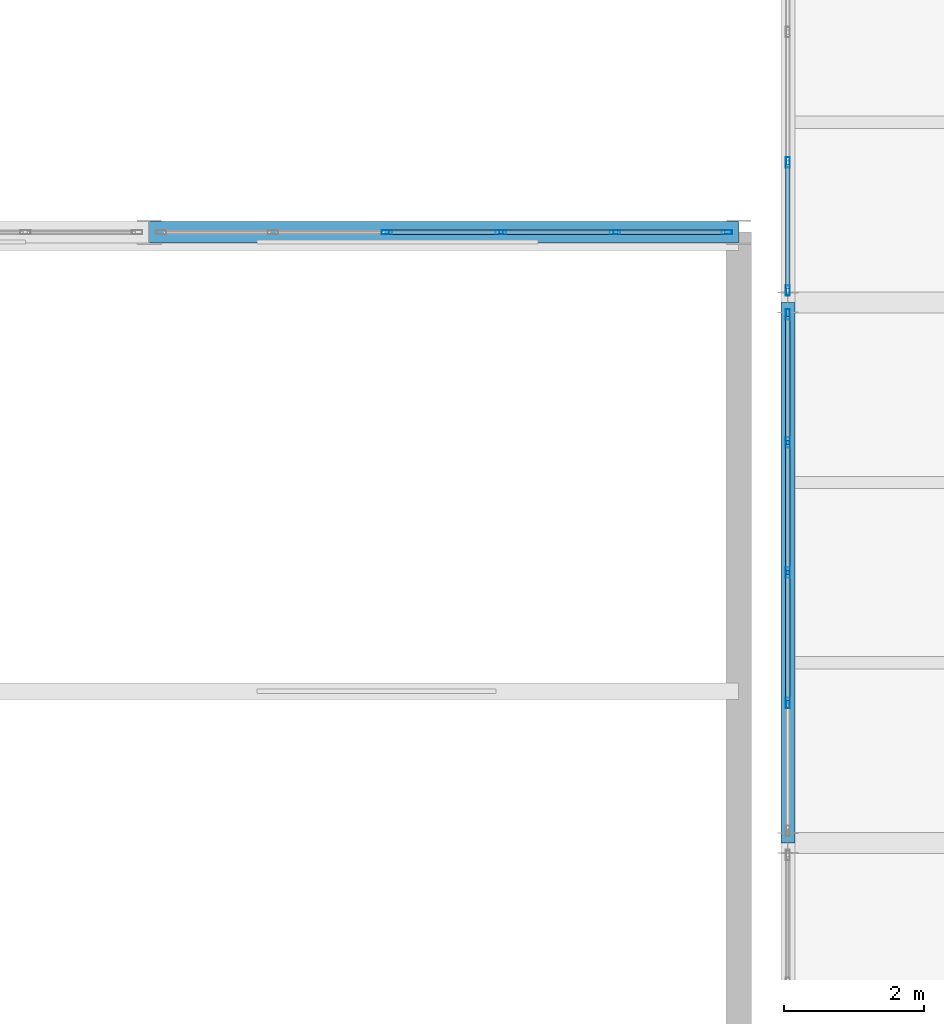
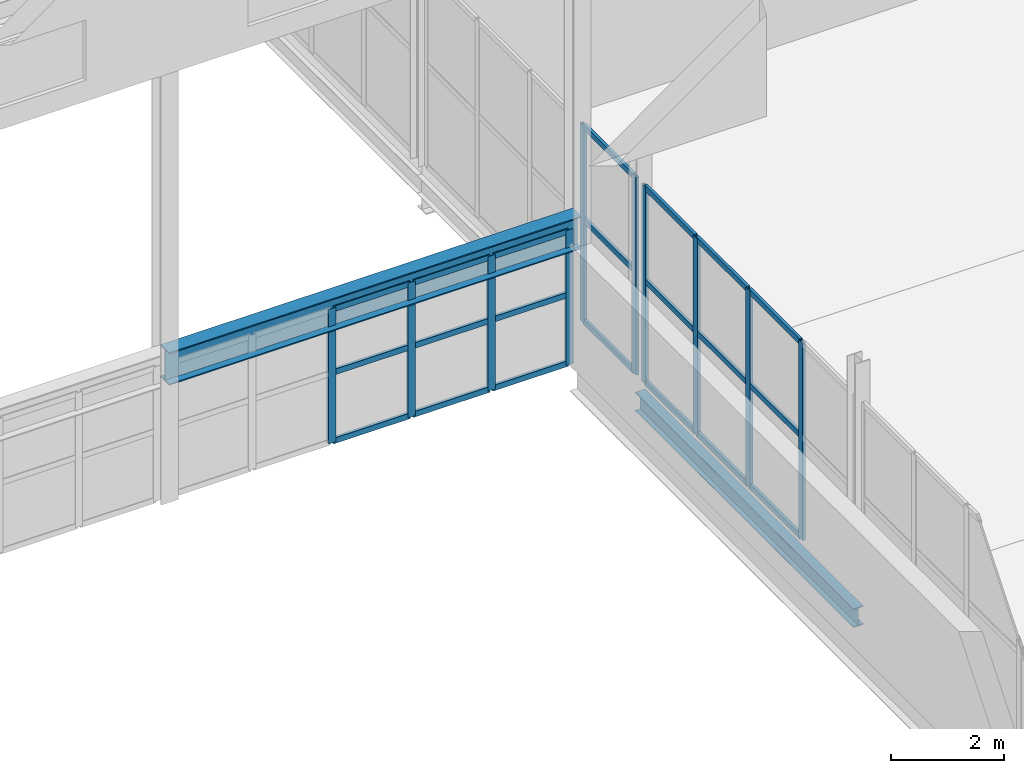
# One storey, part 129 of 218: 31 members, 2 beams, 3 elements without a shape of their own.
"""IFC4 building model written with IfcOpenShell, lengths in metres."""

from ifc_helpers import new_model, si_unit, direction, frame, origin, origin_2d, place, context, subcontext, project, spatial, hollow_rectangle, i_section, extrude, material, material_profile, profile_set, type_object, element, aggregate, save


model = new_model("IFC4")

# Units and contexts
model_context = context("Model", 3, precision=1e-05, world=origin(), true_north=direction((0.0, 1.0)))
body_context = subcontext(model_context, "Body", "Model", "MODEL_VIEW")
ifc_project = project(units=[si_unit("LENGTHUNIT", "METRE"), si_unit("AREAUNIT", "SQUARE_METRE"), si_unit("VOLUMEUNIT", "CUBIC_METRE"), si_unit("PLANEANGLEUNIT", "RADIAN"), si_unit("MASSUNIT", "GRAM", prefix="KILO")], contexts=[model_context])

# Site, building, storey
site_placement = place(None, origin())
site = spatial("IfcSite", under=ifc_project, at=site_placement, CompositionType="ELEMENT")
building_placement = place(site_placement, origin())
building = spatial("IfcBuilding", under=site, at=building_placement, Name="Kazenagashi Tramway Depot", CompositionType="ELEMENT")
storey_placement = place(building_placement, frame((0.0, 0.0, 6.0)))
storey = spatial("IfcBuildingStorey", under=building, at=storey_placement, Name="L02", CompositionType="ELEMENT", Elevation=6.0)

# Beam
ifc_material_1 = material(Name="Steel SN490B", Category="steel")
ifc_material_profile_1 = material_profile(ifc_material_1, i_section(OverallWidth=0.3, OverallDepth=0.7, WebThickness=0.013, FlangeThickness=0.024, at=origin_2d()), Name="H-700x300x13x24")
ifc_profile_set_1 = profile_set([ifc_material_profile_1], Name="Steel SN490B")
beam_type_1 = type_object("IfcBeamType", Name="G-02", PredefinedType="BEAM", material=ifc_profile_set_1)
beam_1_placement = place(storey_placement, frame((137.2, 54.9, 2.85), z_axis=(1.0, 0.0, 0.0), x_axis=(0.0, 1.0, 0.0)))
element("IfcBeam", 1, at=beam_1_placement, inside=storey, type_object=beam_type_1, Name="Beam G-02 BM-1184", PredefinedType="BEAM", context=body_context, shape_type="SweptSolid", body=[
    extrude(i_section(OverallWidth=0.3, OverallDepth=0.7, WebThickness=0.013, FlangeThickness=0.024, at=origin_2d()), origin(), (0.0, 0.0, 1.0), 8.4),
])

# Curtain wall, members
ifc_material_2 = material(Name="Anodised Aluminium and Low-E Glazing", Category="aluminium")
curtain_wall_type_1 = type_object("IfcCurtainWallType", Name="CW-21", PredefinedType="USERDEFINED", material=ifc_material_2)
curtain_wall_1_placement = place(storey_placement, origin())
curtain_wall_1 = element("IfcCurtainWall", 2, at=curtain_wall_1_placement, inside=storey, type_object=curtain_wall_type_1, Name="Industrial Glazed Screen CW-21 CW-0118", ObjectType="GLAZED SCREEN", PredefinedType="USERDEFINED")
ifc_material_3 = material(Name="Anodised Aluminium", Category="aluminium")
ifc_material_profile_2 = material_profile(ifc_material_3, hollow_rectangle(XDim=0.06, YDim=0.15, WallThickness=0.004, at=origin_2d()), Name="RHS-150x60x4")
ifc_profile_set_2 = profile_set([ifc_material_profile_2], Name="Anodised Aluminium")
member_type_1 = type_object("IfcMemberType", Name="ML-01", PredefinedType="MULLION", material=ifc_profile_set_2)
member_1_placement = place(storey_placement, frame((140.588, 54.9, 0.0), z_axis=(0.0, 0.0, 1.0), x_axis=(0.0, 1.0, 0.0)))
member_1 = element("IfcMember", 3, at=member_1_placement, type_object=member_type_1, Name="CW-21 mullion 3", PredefinedType="MULLION", context=body_context, shape_type="SweptSolid", body=[
    extrude(hollow_rectangle(XDim=0.06, YDim=0.15, WallThickness=0.004, at=origin_2d()), origin(), (0.0, 0.0, 1.0), 2.9),
])
member_2_placement = place(storey_placement, frame((142.212, 54.9, 0.0), z_axis=(0.0, 0.0, 1.0), x_axis=(0.0, 1.0, 0.0)))
member_2 = element("IfcMember", 4, at=member_2_placement, type_object=member_type_1, Name="CW-21 mullion 4", PredefinedType="MULLION", context=body_context, shape_type="SweptSolid", body=[
    extrude(hollow_rectangle(XDim=0.06, YDim=0.15, WallThickness=0.004, at=origin_2d()), origin(), (0.0, 0.0, 1.0), 2.9),
])
member_3_placement = place(storey_placement, frame((143.836, 54.9, 0.0), z_axis=(0.0, 0.0, 1.0), x_axis=(0.0, 1.0, 0.0)))
member_3 = element("IfcMember", 5, at=member_3_placement, type_object=member_type_1, Name="CW-21 mullion 5", PredefinedType="MULLION", context=body_context, shape_type="SweptSolid", body=[
    extrude(hollow_rectangle(XDim=0.06, YDim=0.15, WallThickness=0.004, at=origin_2d()), origin(), (0.0, 0.0, 1.0), 2.9),
])
member_4_placement = place(storey_placement, frame((145.43, 54.9, 0.0), z_axis=(0.0, 0.0, 1.0), x_axis=(0.0, 1.0, 0.0)))
member_4 = element("IfcMember", 6, at=member_4_placement, type_object=member_type_1, Name="CW-21 mullion 6", PredefinedType="MULLION", context=body_context, shape_type="SweptSolid", body=[
    extrude(hollow_rectangle(XDim=0.06, YDim=0.15, WallThickness=0.004, at=origin_2d()), origin(), (0.0, 0.0, 1.0), 2.9),
])

curtain_wall_type_2 = type_object("IfcCurtainWallType", Name="CW-31", PredefinedType="USERDEFINED", material=ifc_material_2)
curtain_wall_2_placement = place(storey_placement, origin())
curtain_wall_2 = element("IfcCurtainWall", 7, at=curtain_wall_2_placement, inside=storey, type_object=curtain_wall_type_2, Name="Industrial Glazed Screen CW-31 CW-0169", ObjectType="GLAZED SCREEN", PredefinedType="USERDEFINED")
member_5_placement = place(storey_placement, frame((146.3, 48.195, 0.0), z_axis=(0.0, 0.0, 1.0), x_axis=(-1.0, 0.0, 0.0)))
member_5 = element("IfcMember", 8, at=member_5_placement, type_object=member_type_1, Name="CW-31 mullion 2", PredefinedType="MULLION", context=body_context, shape_type="SweptSolid", body=[
    extrude(hollow_rectangle(XDim=0.06, YDim=0.15, WallThickness=0.004, at=origin_2d()), origin(), (0.0, 0.0, 1.0), 4.25),
])
member_6_placement = place(storey_placement, frame((146.3, 50.05, 0.0), z_axis=(0.0, 0.0, 1.0), x_axis=(-1.0, 0.0, 0.0)))
member_6 = element("IfcMember", 9, at=member_6_placement, type_object=member_type_1, Name="CW-31 mullion 3", PredefinedType="MULLION", context=body_context, shape_type="SweptSolid", body=[
    extrude(hollow_rectangle(XDim=0.06, YDim=0.15, WallThickness=0.004, at=origin_2d()), origin(), (0.0, 0.0, 1.0), 4.25),
])
member_7_placement = place(storey_placement, frame((146.3, 51.905, 0.0), z_axis=(0.0, 0.0, 1.0), x_axis=(-1.0, 0.0, 0.0)))
member_7 = element("IfcMember", 10, at=member_7_placement, type_object=member_type_1, Name="CW-31 mullion 4", PredefinedType="MULLION", context=body_context, shape_type="SweptSolid", body=[
    extrude(hollow_rectangle(XDim=0.06, YDim=0.15, WallThickness=0.004, at=origin_2d()), origin(), (0.0, 0.0, 1.0), 4.25),
])
member_8_placement = place(storey_placement, frame((146.3, 53.73, 0.0), z_axis=(0.0, 0.0, 1.0), x_axis=(-1.0, 0.0, 0.0)))
member_8 = element("IfcMember", 11, at=member_8_placement, type_object=member_type_1, Name="CW-31 mullion 5", PredefinedType="MULLION", context=body_context, shape_type="SweptSolid", body=[
    extrude(hollow_rectangle(XDim=0.06, YDim=0.15, WallThickness=0.004, at=origin_2d()), origin(), (0.0, 0.0, 1.0), 4.25),
])

curtain_wall_3_placement = place(storey_placement, origin())
curtain_wall_3 = element("IfcCurtainWall", 12, at=curtain_wall_3_placement, inside=storey, type_object=curtain_wall_type_2, Name="Industrial Glazed Screen CW-31 CW-0171", ObjectType="GLAZED SCREEN", PredefinedType="USERDEFINED")
member_9_placement = place(storey_placement, frame((146.3, 54.07, 0.0), z_axis=(0.0, 0.0, 1.0), x_axis=(-1.0, 0.0, 0.0)))
member_9 = element("IfcMember", 13, at=member_9_placement, type_object=member_type_1, Name="CW-31 mullion 1", PredefinedType="MULLION", context=body_context, shape_type="SweptSolid", body=[
    extrude(hollow_rectangle(XDim=0.06, YDim=0.15, WallThickness=0.004, at=origin_2d()), origin(), (0.0, 0.0, 1.0), 4.25),
])
member_10_placement = place(storey_placement, frame((146.3, 55.895, 0.0), z_axis=(0.0, 0.0, 1.0), x_axis=(-1.0, 0.0, 0.0)))
member_10 = element("IfcMember", 14, at=member_10_placement, type_object=member_type_1, Name="CW-31 mullion 2", PredefinedType="MULLION", context=body_context, shape_type="SweptSolid", body=[
    extrude(hollow_rectangle(XDim=0.06, YDim=0.15, WallThickness=0.004, at=origin_2d()), origin(), (0.0, 0.0, 1.0), 4.25),
])

# Beam
ifc_material_profile_3 = material_profile(ifc_material_1, i_section(OverallWidth=0.2, OverallDepth=0.4, WebThickness=0.008, FlangeThickness=0.013, at=origin_2d()), Name="H-400x200x8x13")
ifc_profile_set_3 = profile_set([ifc_material_profile_3], Name="Steel SN490B")
beam_type_2 = type_object("IfcBeamType", Name="SP-04", PredefinedType="SPANDREL", material=ifc_profile_set_3)
beam_2_placement = place(storey_placement, frame((146.3, 46.2, -0.48), z_axis=(0.0, 1.0, 0.0), x_axis=(-1.0, 0.0, 0.0)))
element("IfcBeam", 15, at=beam_2_placement, inside=storey, type_object=beam_type_2, Name="Beam SP-04 BM-1247", PredefinedType="SPANDREL", context=body_context, shape_type="SweptSolid", body=[
    extrude(i_section(OverallWidth=0.2, OverallDepth=0.4, WebThickness=0.008, FlangeThickness=0.013, at=origin_2d()), origin(), (0.0, 0.0, 1.0), 7.7),
])

# Member
ifc_material_profile_4 = material_profile(ifc_material_3, hollow_rectangle(XDim=0.06, YDim=0.12, WallThickness=0.004, at=origin_2d()), Name="RHS-120x60x4")
ifc_profile_set_4 = profile_set([ifc_material_profile_4], Name="Anodised Aluminium")
member_type_2 = type_object("IfcMemberType", Name="TR-01", PredefinedType="USERDEFINED", material=ifc_profile_set_4)
member_11_placement = place(storey_placement, frame((140.618, 54.9, 0.03), z_axis=(1.0, 0.0, 0.0), x_axis=(0.0, 1.0, 0.0)))
member_11 = element("IfcMember", 16, at=member_11_placement, type_object=member_type_2, Name="CW-21 transom 3.1", ObjectType="TRANSOM", PredefinedType="USERDEFINED", context=body_context, shape_type="SweptSolid", body=[
    extrude(hollow_rectangle(XDim=0.06, YDim=0.12, WallThickness=0.004, at=origin_2d()), origin(), (0.0, 0.0, 1.0), 1.564),
])

member_12_placement = place(storey_placement, frame((140.618, 54.9, 1.508), z_axis=(1.0, 0.0, 0.0), x_axis=(0.0, 1.0, 0.0)))
member_12 = element("IfcMember", 17, at=member_12_placement, type_object=member_type_2, Name="CW-21 transom 3.2", ObjectType="TRANSOM", PredefinedType="USERDEFINED", context=body_context, shape_type="SweptSolid", body=[
    extrude(hollow_rectangle(XDim=0.06, YDim=0.12, WallThickness=0.004, at=origin_2d()), origin(), (0.0, 0.0, 1.0), 1.564),
])

member_13_placement = place(storey_placement, frame((140.618, 54.9, 2.87), z_axis=(1.0, 0.0, 0.0), x_axis=(0.0, 1.0, 0.0)))
member_13 = element("IfcMember", 18, at=member_13_placement, type_object=member_type_2, Name="CW-21 transom 3.3", ObjectType="TRANSOM", PredefinedType="USERDEFINED", context=body_context, shape_type="SweptSolid", body=[
    extrude(hollow_rectangle(XDim=0.06, YDim=0.12, WallThickness=0.004, at=origin_2d()), origin(), (0.0, 0.0, 1.0), 1.564),
])

member_14_placement = place(storey_placement, frame((142.242, 54.9, 0.03), z_axis=(1.0, 0.0, 0.0), x_axis=(0.0, 1.0, 0.0)))
member_14 = element("IfcMember", 19, at=member_14_placement, type_object=member_type_2, Name="CW-21 transom 4.1", ObjectType="TRANSOM", PredefinedType="USERDEFINED", context=body_context, shape_type="SweptSolid", body=[
    extrude(hollow_rectangle(XDim=0.06, YDim=0.12, WallThickness=0.004, at=origin_2d()), origin(), (0.0, 0.0, 1.0), 1.564),
])

member_15_placement = place(storey_placement, frame((142.242, 54.9, 1.508), z_axis=(1.0, 0.0, 0.0), x_axis=(0.0, 1.0, 0.0)))
member_15 = element("IfcMember", 20, at=member_15_placement, type_object=member_type_2, Name="CW-21 transom 4.2", ObjectType="TRANSOM", PredefinedType="USERDEFINED", context=body_context, shape_type="SweptSolid", body=[
    extrude(hollow_rectangle(XDim=0.06, YDim=0.12, WallThickness=0.004, at=origin_2d()), origin(), (0.0, 0.0, 1.0), 1.564),
])

member_16_placement = place(storey_placement, frame((142.242, 54.9, 2.87), z_axis=(1.0, 0.0, 0.0), x_axis=(0.0, 1.0, 0.0)))
member_16 = element("IfcMember", 21, at=member_16_placement, type_object=member_type_2, Name="CW-21 transom 4.3", ObjectType="TRANSOM", PredefinedType="USERDEFINED", context=body_context, shape_type="SweptSolid", body=[
    extrude(hollow_rectangle(XDim=0.06, YDim=0.12, WallThickness=0.004, at=origin_2d()), origin(), (0.0, 0.0, 1.0), 1.564),
])

member_17_placement = place(storey_placement, frame((143.866, 54.9, 0.03), z_axis=(1.0, 0.0, 0.0), x_axis=(0.0, 1.0, 0.0)))
member_17 = element("IfcMember", 22, at=member_17_placement, type_object=member_type_2, Name="CW-21 transom 5.1", ObjectType="TRANSOM", PredefinedType="USERDEFINED", context=body_context, shape_type="SweptSolid", body=[
    extrude(hollow_rectangle(XDim=0.06, YDim=0.12, WallThickness=0.004, at=origin_2d()), origin(), (0.0, 0.0, 1.0), 1.534),
])

member_18_placement = place(storey_placement, frame((143.866, 54.9, 1.508), z_axis=(1.0, 0.0, 0.0), x_axis=(0.0, 1.0, 0.0)))
member_18 = element("IfcMember", 23, at=member_18_placement, type_object=member_type_2, Name="CW-21 transom 5.2", ObjectType="TRANSOM", PredefinedType="USERDEFINED", context=body_context, shape_type="SweptSolid", body=[
    extrude(hollow_rectangle(XDim=0.06, YDim=0.12, WallThickness=0.004, at=origin_2d()), origin(), (0.0, 0.0, 1.0), 1.534),
])

member_19_placement = place(storey_placement, frame((143.866, 54.9, 2.87), z_axis=(1.0, 0.0, 0.0), x_axis=(0.0, 1.0, 0.0)))
member_19 = element("IfcMember", 24, at=member_19_placement, type_object=member_type_2, Name="CW-21 transom 5.3", ObjectType="TRANSOM", PredefinedType="USERDEFINED", context=body_context, shape_type="SweptSolid", body=[
    extrude(hollow_rectangle(XDim=0.06, YDim=0.12, WallThickness=0.004, at=origin_2d()), origin(), (0.0, 0.0, 1.0), 1.534),
])

aggregate(curtain_wall_1, [member_1, member_2, member_3, member_4, member_11, member_12, member_13, member_14, member_15, member_16, member_17, member_18, member_19])

member_20_placement = place(storey_placement, frame((146.3, 48.225, 0.03), z_axis=(0.0, 1.0, 0.0), x_axis=(-1.0, 0.0, 0.0)))
member_20 = element("IfcMember", 25, at=member_20_placement, type_object=member_type_2, Name="CW-31 transom 2.1", ObjectType="TRANSOM", PredefinedType="USERDEFINED", context=body_context, shape_type="SweptSolid", body=[
    extrude(hollow_rectangle(XDim=0.06, YDim=0.12, WallThickness=0.004, at=origin_2d()), origin(), (0.0, 0.0, 1.0), 1.795),
])

member_21_placement = place(storey_placement, frame((146.3, 48.225, 2.21), z_axis=(0.0, 1.0, 0.0), x_axis=(-1.0, 0.0, 0.0)))
member_21 = element("IfcMember", 26, at=member_21_placement, type_object=member_type_2, Name="CW-31 transom 2.2", ObjectType="TRANSOM", PredefinedType="USERDEFINED", context=body_context, shape_type="SweptSolid", body=[
    extrude(hollow_rectangle(XDim=0.06, YDim=0.12, WallThickness=0.004, at=origin_2d()), origin(), (0.0, 0.0, 1.0), 1.795),
])

member_22_placement = place(storey_placement, frame((146.3, 48.225, 4.22), z_axis=(0.0, 1.0, 0.0), x_axis=(-1.0, 0.0, 0.0)))
member_22 = element("IfcMember", 27, at=member_22_placement, type_object=member_type_2, Name="CW-31 transom 2.3", ObjectType="TRANSOM", PredefinedType="USERDEFINED", context=body_context, shape_type="SweptSolid", body=[
    extrude(hollow_rectangle(XDim=0.06, YDim=0.12, WallThickness=0.004, at=origin_2d()), origin(), (0.0, 0.0, 1.0), 1.795),
])

member_23_placement = place(storey_placement, frame((146.3, 50.08, 0.03), z_axis=(0.0, 1.0, 0.0), x_axis=(-1.0, 0.0, 0.0)))
member_23 = element("IfcMember", 28, at=member_23_placement, type_object=member_type_2, Name="CW-31 transom 3.1", ObjectType="TRANSOM", PredefinedType="USERDEFINED", context=body_context, shape_type="SweptSolid", body=[
    extrude(hollow_rectangle(XDim=0.06, YDim=0.12, WallThickness=0.004, at=origin_2d()), origin(), (0.0, 0.0, 1.0), 1.795),
])

member_24_placement = place(storey_placement, frame((146.3, 50.08, 2.21), z_axis=(0.0, 1.0, 0.0), x_axis=(-1.0, 0.0, 0.0)))
member_24 = element("IfcMember", 29, at=member_24_placement, type_object=member_type_2, Name="CW-31 transom 3.2", ObjectType="TRANSOM", PredefinedType="USERDEFINED", context=body_context, shape_type="SweptSolid", body=[
    extrude(hollow_rectangle(XDim=0.06, YDim=0.12, WallThickness=0.004, at=origin_2d()), origin(), (0.0, 0.0, 1.0), 1.795),
])

member_25_placement = place(storey_placement, frame((146.3, 50.08, 4.22), z_axis=(0.0, 1.0, 0.0), x_axis=(-1.0, 0.0, 0.0)))
member_25 = element("IfcMember", 30, at=member_25_placement, type_object=member_type_2, Name="CW-31 transom 3.3", ObjectType="TRANSOM", PredefinedType="USERDEFINED", context=body_context, shape_type="SweptSolid", body=[
    extrude(hollow_rectangle(XDim=0.06, YDim=0.12, WallThickness=0.004, at=origin_2d()), origin(), (0.0, 0.0, 1.0), 1.795),
])

member_26_placement = place(storey_placement, frame((146.3, 51.935, 0.03), z_axis=(0.0, 1.0, 0.0), x_axis=(-1.0, 0.0, 0.0)))
member_26 = element("IfcMember", 31, at=member_26_placement, type_object=member_type_2, Name="CW-31 transom 4.1", ObjectType="TRANSOM", PredefinedType="USERDEFINED", context=body_context, shape_type="SweptSolid", body=[
    extrude(hollow_rectangle(XDim=0.06, YDim=0.12, WallThickness=0.004, at=origin_2d()), origin(), (0.0, 0.0, 1.0), 1.765),
])

member_27_placement = place(storey_placement, frame((146.3, 51.935, 2.21), z_axis=(0.0, 1.0, 0.0), x_axis=(-1.0, 0.0, 0.0)))
member_27 = element("IfcMember", 32, at=member_27_placement, type_object=member_type_2, Name="CW-31 transom 4.2", ObjectType="TRANSOM", PredefinedType="USERDEFINED", context=body_context, shape_type="SweptSolid", body=[
    extrude(hollow_rectangle(XDim=0.06, YDim=0.12, WallThickness=0.004, at=origin_2d()), origin(), (0.0, 0.0, 1.0), 1.765),
])

member_28_placement = place(storey_placement, frame((146.3, 51.935, 4.22), z_axis=(0.0, 1.0, 0.0), x_axis=(-1.0, 0.0, 0.0)))
member_28 = element("IfcMember", 33, at=member_28_placement, type_object=member_type_2, Name="CW-31 transom 4.3", ObjectType="TRANSOM", PredefinedType="USERDEFINED", context=body_context, shape_type="SweptSolid", body=[
    extrude(hollow_rectangle(XDim=0.06, YDim=0.12, WallThickness=0.004, at=origin_2d()), origin(), (0.0, 0.0, 1.0), 1.765),
])

aggregate(curtain_wall_2, [member_5, member_6, member_7, member_8, member_20, member_21, member_22, member_23, member_24, member_25, member_26, member_27, member_28])

member_29_placement = place(storey_placement, frame((146.3, 54.1, 0.03), z_axis=(0.0, 1.0, 0.0), x_axis=(-1.0, 0.0, 0.0)))
member_29 = element("IfcMember", 34, at=member_29_placement, type_object=member_type_2, Name="CW-31 transom 1.1", ObjectType="TRANSOM", PredefinedType="USERDEFINED", context=body_context, shape_type="SweptSolid", body=[
    extrude(hollow_rectangle(XDim=0.06, YDim=0.12, WallThickness=0.004, at=origin_2d()), origin(), (0.0, 0.0, 1.0), 1.765),
])

member_30_placement = place(storey_placement, frame((146.3, 54.1, 2.21), z_axis=(0.0, 1.0, 0.0), x_axis=(-1.0, 0.0, 0.0)))
member_30 = element("IfcMember", 35, at=member_30_placement, type_object=member_type_2, Name="CW-31 transom 1.2", ObjectType="TRANSOM", PredefinedType="USERDEFINED", context=body_context, shape_type="SweptSolid", body=[
    extrude(hollow_rectangle(XDim=0.06, YDim=0.12, WallThickness=0.004, at=origin_2d()), origin(), (0.0, 0.0, 1.0), 1.765),
])

member_31_placement = place(storey_placement, frame((146.3, 54.1, 4.22), z_axis=(0.0, 1.0, 0.0), x_axis=(-1.0, 0.0, 0.0)))
member_31 = element("IfcMember", 36, at=member_31_placement, type_object=member_type_2, Name="CW-31 transom 1.3", ObjectType="TRANSOM", PredefinedType="USERDEFINED", context=body_context, shape_type="SweptSolid", body=[
    extrude(hollow_rectangle(XDim=0.06, YDim=0.12, WallThickness=0.004, at=origin_2d()), origin(), (0.0, 0.0, 1.0), 1.765),
])

aggregate(curtain_wall_3, [member_9, member_10, member_29, member_30, member_31])

save(model, "model.ifc")
